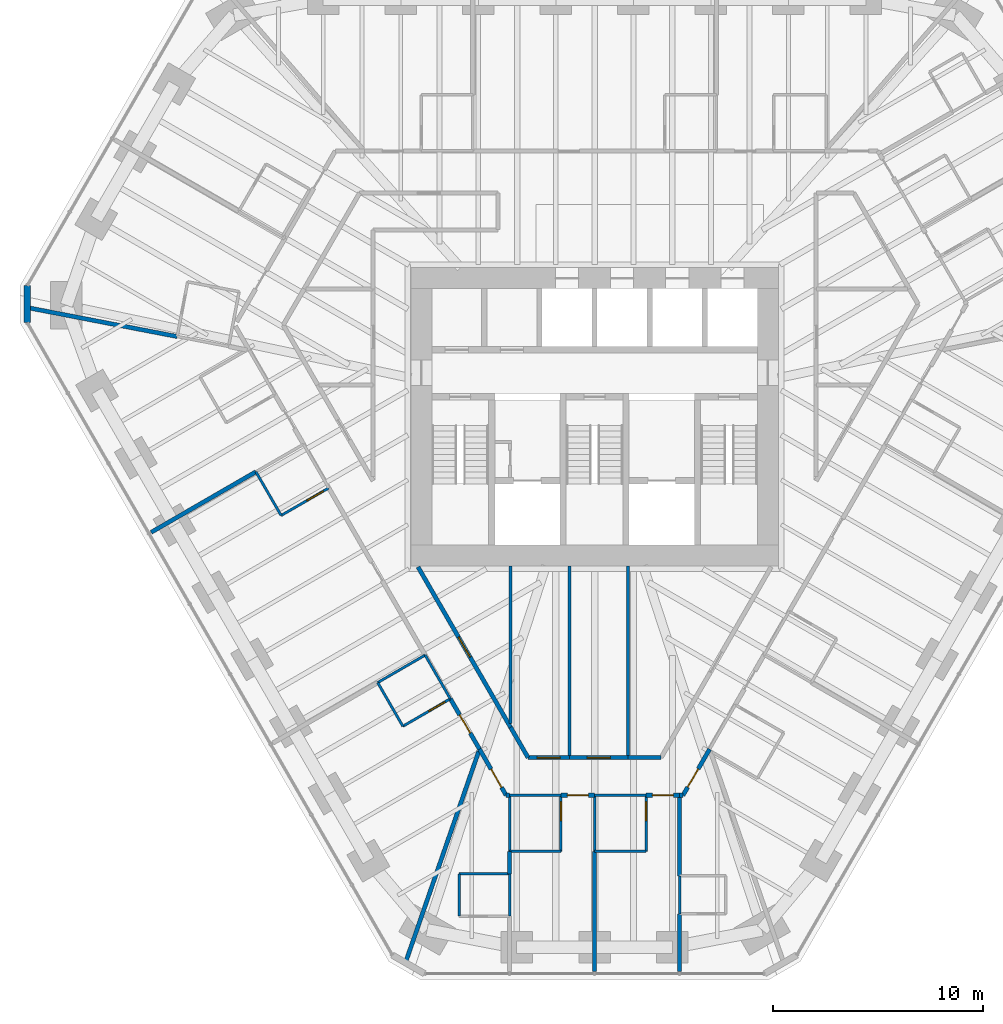
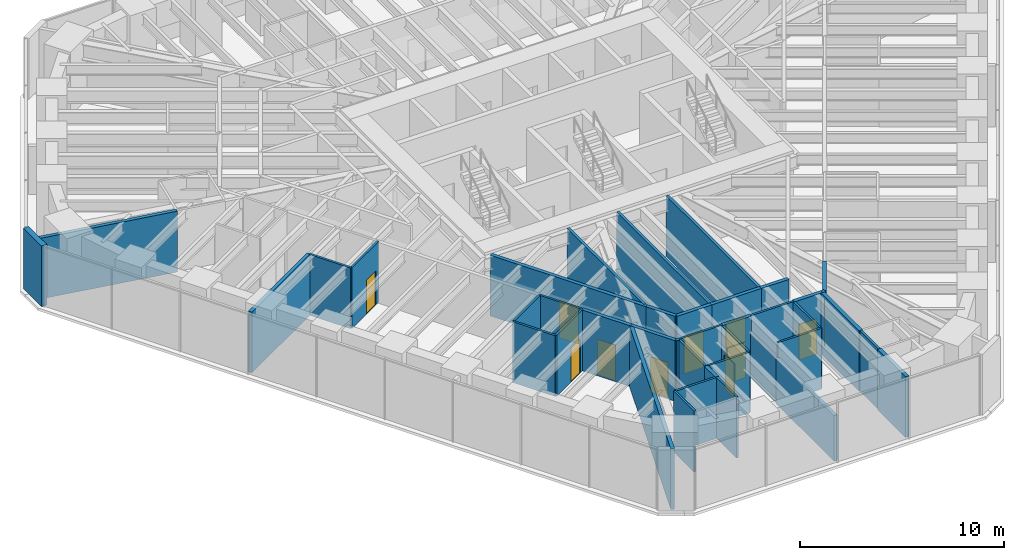
# One storey, part 11 of 17: 41 walls, 12 doors, 12 openings.
"""IFC4 building model written with IfcOpenShell, lengths in metres."""

from ifc_helpers import new_model, si_unit, direction, frame, frame_2d, origin, place, context, subcontext, project, spatial, rectangle, extrude, material, layer, layer_set, type_object, element, fill, save


model = new_model("IFC4")

# Units and contexts
model_context = context("Model", 3, precision=1e-05, world=origin(), true_north=direction((0.0, 1.0)))
body_context = subcontext(model_context, "Body", "Model", "MODEL_VIEW")
ifc_project = project(units=[si_unit("LENGTHUNIT", "METRE"), si_unit("AREAUNIT", "SQUARE_METRE"), si_unit("VOLUMEUNIT", "CUBIC_METRE"), si_unit("PLANEANGLEUNIT", "RADIAN"), si_unit("MASSUNIT", "GRAM", prefix="KILO")], contexts=[model_context])

# Site, building, storey
site_placement = place(None, origin())
site = spatial("IfcSite", under=ifc_project, at=site_placement, CompositionType="ELEMENT")
building_placement = place(site_placement, origin())
building = spatial("IfcBuilding", under=site, at=building_placement, Name="Sandreach Pilgrim Tower", CompositionType="ELEMENT")
storey_placement = place(building_placement, frame((0.0, 0.0, 221.199951171875)))
storey = spatial("IfcBuildingStorey", under=building, at=storey_placement, Name="L55", CompositionType="ELEMENT", Elevation=221.199951171875)

# Walls
ifc_material_1 = material(Name="Gypsum board on steel studs", Category="steel")
ifc_layer_1 = layer(ifc_material_1, 0.14990234375)
ifc_layer_set_1 = layer_set([ifc_layer_1], Name="Back of house wall 150")
wall_type_1 = type_object("IfcWallType", Name="Back of house wall 150", PredefinedType="PARTITIONING", material=ifc_layer_set_1)
wall_1_placement = place(storey_placement, frame((-4.0, -7.10009765625, 0.0), z_axis=(0.0, 0.0, 1.0), x_axis=(0.0, -1.0, 0.0)))
element("IfcWall", 1, at=wall_1_placement, inside=storey, type_object=wall_type_1, Name="Back of house wall L55-066", PredefinedType="PARTITIONING", context=body_context, shape_type="SweptSolid", body=[
    extrude(rectangle(XDim=7.514892578125, YDim=0.14990234375, at=frame_2d((3.75732421875, 0.0))), origin(), (0.0, 0.0, 1.0), 3.64013671875),
])
for number, where, z_axis, x_axis, name in (
    (2, (-1.199951171875, -7.10009765625, 0.0), (0.0, 0.0, 1.0), (0.0, -1.0, 0.0), "Back of house wall L55-071"),
    (3, (1.60009765625, -7.10009765625, 0.0), (0.0, 0.0, 1.0), (0.0, -1.0, 0.0), "Back of house wall L55-077"),
):
    element("IfcWall", number, at=place(storey_placement, frame(where, z_axis=z_axis, x_axis=x_axis)), inside=storey, type_object=wall_type_1, Name=name, PredefinedType="PARTITIONING", context=body_context, shape_type="SweptSolid", body=[
        extrude(rectangle(XDim=9.1298828125, YDim=0.14990234375, at=frame_2d((4.56494140625, 0.0))), origin(), (0.0, 0.0, 1.0), 3.64013671875),
    ])
ifc_material_2 = material(Name="Moisture-resistant gypsum board on steel studs", Category="steel")
ifc_layer_2 = layer(ifc_material_2, 0.1201171875)
ifc_layer_set_2 = layer_set([ifc_layer_2], Name="Bathroom partition 120")
wall_type_2 = type_object("IfcWallType", Name="Bathroom partition 120", PredefinedType="PARTITIONING", material=ifc_layer_set_2)
wall_2_placement = place(storey_placement, frame((-16.1298828125, -2.6201171875, 0.0), z_axis=(0.0, 0.0, 1.0), x_axis=(0.499737123639, -0.866177122335, 0.0)))
element("IfcWall", 4, at=wall_2_placement, inside=storey, type_object=wall_type_2, Name="Bathroom partition L55-015", PredefinedType="PARTITIONING", context=body_context, shape_type="SweptSolid", body=[
    extrude(rectangle(XDim=2.401123046875, YDim=0.1201171875, at=frame_2d((1.20068359375, 0.0))), origin(), (0.0, 0.0, 1.0), 3.64013671875),
])

# Wall, opening, door
wall_3_placement = place(storey_placement, frame((-14.929931640625, -4.699951171875, 0.0), z_axis=(0.0, 0.0, 1.0), x_axis=(0.866114241029, 0.499846097802, 0.0)))
wall_3 = element("IfcWall", 5, at=wall_3_placement, inside=storey, type_object=wall_type_2, Name="Bathroom partition L55-020", PredefinedType="PARTITIONING", context=body_context, shape_type="SweptSolid", body=[
    extrude(rectangle(XDim=2.620849609375, YDim=0.1201171875, at=frame_2d((1.310546875, 0.0))), origin(), (0.0, 0.0, 1.0), 3.64013671875),
])
opening_1_placement = place(wall_3_placement, frame((1.4208984375, 0.0, 0.0)))
opening_1 = element("IfcOpeningElement", 6, at=opening_1_placement, cuts=wall_3, Name="Opening D09-16B", PredefinedType="OPENING", context=body_context, shape_type="SweptSolid", body=[
    extrude(rectangle(XDim=0.89990234375, YDim=2.030029296875, at=frame_2d((0.449951171875, 1.01513671875))), frame((0.0, 0.06005859375, 0.0), z_axis=(0.0, -1.0, 0.0), x_axis=(1.0, 0.0, 0.0)), (0.0, 0.0, 1.0), 0.1201171875),
])
ifc_material_3 = material(Name="Timber door, steel frame", Category="steel")
door_type_1 = type_object("IfcDoorType", Name="Bathroom door", OperationType="SINGLE_SWING_LEFT", PredefinedType="DOOR", material=ifc_material_3)
door_1_placement = place(opening_1_placement, origin())
door_1 = element("IfcDoor", 7, at=door_1_placement, inside=storey, type_object=door_type_1, Name="Door 5516B", OperationType="SINGLE_SWING_RIGHT", OverallHeight=2.030029296875, OverallWidth=0.89990234375, PredefinedType="DOOR", context=body_context, shape_type="SweptSolid", body=[
    extrude(rectangle(XDim=0.89990234375, YDim=2.030029296875, at=frame_2d((0.449951171875, 1.01513671875))), frame((0.0, 0.02490234375, 0.0), z_axis=(0.0, -1.0, 0.0), x_axis=(1.0, 0.0, 0.0)), (0.0, 0.0, 1.0), 0.050048828125),
])
fill(opening_1, door_1)

# Walls
wall_4_placement = place(storey_placement, frame((-10.330078125, -12.659912109375, 0.0), z_axis=(0.0, 0.0, 1.0), x_axis=(0.499693115345, -0.866202511239, 0.0)))
element("IfcWall", 8, at=wall_4_placement, inside=storey, type_object=wall_type_2, Name="Bathroom partition L55-040", PredefinedType="PARTITIONING", context=body_context, shape_type="SweptSolid", body=[
    extrude(rectangle(XDim=2.4013671875, YDim=0.1201171875, at=frame_2d((1.20068359375, 0.0))), origin(), (0.0, 0.0, 1.0), 3.64013671875),
])
wall_5_placement = place(storey_placement, frame((-10.330078125, -12.659912109375, 0.0), z_axis=(0.0, 0.0, 1.0), x_axis=(0.865195830568, 0.501434118073, 0.0)))
element("IfcWall", 9, at=wall_5_placement, inside=storey, type_object=wall_type_2, Name="Bathroom partition L55-041", PredefinedType="PARTITIONING", context=body_context, shape_type="SweptSolid", body=[
    extrude(rectangle(XDim=2.612060546875, YDim=0.1201171875, at=frame_2d((1.30615234375, 0.0))), origin(), (0.0, 0.0, 1.0), 3.64013671875),
])

# Wall, opening, door
wall_6_placement = place(storey_placement, frame((-9.1298828125, -14.739990234375, 0.0), z_axis=(0.0, 0.0, 1.0), x_axis=(0.865131772832, 0.501544629755, 0.0)))
wall_6 = element("IfcWall", 10, at=wall_6_placement, inside=storey, type_object=wall_type_2, Name="Bathroom partition L55-042", PredefinedType="PARTITIONING", context=body_context, shape_type="SweptSolid", body=[
    extrude(rectangle(XDim=2.612060546875, YDim=0.1201171875, at=frame_2d((1.30615234375, 0.0))), origin(), (0.0, 0.0, 1.0), 3.64013671875),
])
opening_2_placement = place(wall_6_placement, frame((1.412109375, 0.0, 0.0)))
opening_2 = element("IfcOpeningElement", 11, at=opening_2_placement, cuts=wall_6, Name="Opening D09-15B", PredefinedType="OPENING", context=body_context, shape_type="SweptSolid", body=[
    extrude(rectangle(XDim=0.89990234375, YDim=2.030029296875, at=frame_2d((0.449951171875, 1.01513671875))), frame((0.0, 0.06005859375, 0.0), z_axis=(0.0, -1.0, 0.0), x_axis=(1.0, 0.0, 0.0)), (0.0, 0.0, 1.0), 0.1201171875),
])
door_2_placement = place(opening_2_placement, origin())
door_2 = element("IfcDoor", 12, at=door_2_placement, inside=storey, type_object=door_type_1, Name="Door 5515B", OperationType="SINGLE_SWING_RIGHT", OverallHeight=2.030029296875, OverallWidth=0.89990234375, PredefinedType="DOOR", context=body_context, shape_type="SweptSolid", body=[
    extrude(rectangle(XDim=0.89990234375, YDim=2.030029296875, at=frame_2d((0.449951171875, 1.01513671875))), frame((0.0, 0.02490234375, 0.0), z_axis=(0.0, -1.0, 0.0), x_axis=(1.0, 0.0, 0.0)), (0.0, 0.0, 1.0), 0.050048828125),
])
fill(opening_2, door_2)

# Walls
wall_7_placement = place(storey_placement, frame((-8.070068359375, -11.35009765625, 0.0), z_axis=(0.0, 0.0, 1.0), x_axis=(0.499737123639, -0.866177122335, 0.0)))
element("IfcWall", 13, at=wall_7_placement, inside=storey, type_object=wall_type_2, Name="Bathroom partition L55-046", PredefinedType="PARTITIONING", context=body_context, shape_type="SweptSolid", body=[
    extrude(rectangle(XDim=2.401123046875, YDim=0.1201171875, at=frame_2d((1.20068359375, 0.0))), origin(), (0.0, 0.0, 1.0), 3.64013671875),
])
for number, where, z_axis, x_axis, name in (
    (14, (-6.449951171875, -21.77001953125, 0.0), (0.0, 0.0, 1.0), (0.0, -1.0, 0.0), "Bathroom partition L55-049"),
    (15, (-4.050048828125, -23.780029296875, 0.0), (0.0, 0.0, 1.0), (0.0, 1.0, 0.0), "Bathroom partition L55-059"),
):
    element("IfcWall", number, at=place(storey_placement, frame(where, z_axis=z_axis, x_axis=x_axis)), inside=storey, type_object=wall_type_2, Name=name, PredefinedType="PARTITIONING", context=body_context, shape_type="SweptSolid", body=[
        extrude(rectangle(XDim=2.010009765625, YDim=0.1201171875, at=frame_2d((1.0048828125, 0.0))), origin(), (0.0, 0.0, 1.0), 3.64013671875),
    ])
wall_8_placement = place(storey_placement, frame((-4.050048828125, -21.77001953125, 0.0), z_axis=(0.0, 0.0, 1.0), x_axis=(-1.0, 0.0, 0.0)))
element("IfcWall", 16, at=wall_8_placement, inside=storey, type_object=wall_type_2, Name="Bathroom partition L55-060", PredefinedType="PARTITIONING", context=body_context, shape_type="SweptSolid", body=[
    extrude(rectangle(XDim=2.39990234375, YDim=0.1201171875, at=frame_2d((1.199951171875, 0.0))), origin(), (0.0, 0.0, 1.0), 3.64013671875),
])
wall_9_placement = place(storey_placement, frame((-4.050048828125, -20.699951171875, 0.0), z_axis=(0.0, 0.0, 1.0), x_axis=(0.0, 1.0, 0.0)))
element("IfcWall", 17, at=wall_9_placement, inside=storey, type_object=wall_type_2, Name="Bathroom partition L55-062", PredefinedType="PARTITIONING", context=body_context, shape_type="SweptSolid", body=[
    extrude(rectangle(XDim=2.669921875, YDim=0.1201171875, at=frame_2d((1.3349609375, 0.0))), origin(), (0.0, 0.0, 1.0), 3.64013671875),
])
for number, where, z_axis, x_axis, name in (
    (18, (-4.050048828125, -20.699951171875, 0.0), (0.0, 0.0, 1.0), (1.0, 0.0, 0.0), "Bathroom partition L55-063"),
    (19, (-4.050048828125, -18.030029296875, 0.0), (0.0, 0.0, 1.0), (1.0, 0.0, 0.0), "Bathroom partition L55-064"),
):
    element("IfcWall", number, at=place(storey_placement, frame(where, z_axis=z_axis, x_axis=x_axis)), inside=storey, type_object=wall_type_2, Name=name, PredefinedType="PARTITIONING", context=body_context, shape_type="SweptSolid", body=[
        extrude(rectangle(XDim=2.449951171875, YDim=0.1201171875, at=frame_2d((1.22509765625, 0.0))), origin(), (0.0, 0.0, 1.0), 3.64013671875),
    ])

# Wall, opening, door
wall_10_placement = place(storey_placement, frame((-1.60009765625, -20.699951171875, 0.0), z_axis=(0.0, 0.0, 1.0), x_axis=(0.0, 1.0, 0.0)))
wall_10 = element("IfcWall", 20, at=wall_10_placement, inside=storey, type_object=wall_type_2, Name="Bathroom partition L55-068", PredefinedType="PARTITIONING", context=body_context, shape_type="SweptSolid", body=[
    extrude(rectangle(XDim=2.669921875, YDim=0.1201171875, at=frame_2d((1.3349609375, 0.0))), origin(), (0.0, 0.0, 1.0), 3.64013671875),
])
opening_3_placement = place(wall_10_placement, frame((1.469970703125, 0.0, 0.0)))
opening_3 = element("IfcOpeningElement", 21, at=opening_3_placement, cuts=wall_10, Name="Opening D09-13B", PredefinedType="OPENING", context=body_context, shape_type="SweptSolid", body=[
    extrude(rectangle(XDim=0.89990234375, YDim=2.030029296875, at=frame_2d((0.449951171875, 1.01513671875))), frame((0.0, 0.06005859375, 0.0), z_axis=(0.0, -1.0, 0.0), x_axis=(1.0, 0.0, 0.0)), (0.0, 0.0, 1.0), 0.1201171875),
])
door_3_placement = place(opening_3_placement, origin())
door_3 = element("IfcDoor", 22, at=door_3_placement, inside=storey, type_object=door_type_1, Name="Door 5513B", OperationType="SINGLE_SWING_RIGHT", OverallHeight=2.030029296875, OverallWidth=0.89990234375, PredefinedType="DOOR", context=body_context, shape_type="SweptSolid", body=[
    extrude(rectangle(XDim=0.89990234375, YDim=2.030029296875, at=frame_2d((0.449951171875, 1.01513671875))), frame((0.0, 0.02490234375, 0.0), z_axis=(0.0, -1.0, 0.0), x_axis=(1.0, 0.0, 0.0)), (0.0, 0.0, 1.0), 0.050048828125),
])
fill(opening_3, door_3)

# Walls
wall_11_placement = place(storey_placement, frame((0.0, -20.699951171875, 0.0), z_axis=(0.0, 0.0, 1.0), x_axis=(0.0, 1.0, 0.0)))
element("IfcWall", 23, at=wall_11_placement, inside=storey, type_object=wall_type_2, Name="Bathroom partition L55-073", PredefinedType="PARTITIONING", context=body_context, shape_type="SweptSolid", body=[
    extrude(rectangle(XDim=2.669921875, YDim=0.1201171875, at=frame_2d((1.3349609375, 0.0))), origin(), (0.0, 0.0, 1.0), 2.7255859375),
])
for number, where, z_axis, x_axis, name in (
    (24, (0.0, -20.699951171875, 0.0), (0.0, 0.0, 1.0), (1.0, 0.0, 0.0), "Bathroom partition L55-074"),
    (25, (0.0, -18.030029296875, 0.0), (0.0, 0.0, 1.0), (1.0, 0.0, 0.0), "Bathroom partition L55-075"),
):
    element("IfcWall", number, at=place(storey_placement, frame(where, z_axis=z_axis, x_axis=x_axis)), inside=storey, type_object=wall_type_2, Name=name, PredefinedType="PARTITIONING", context=body_context, shape_type="SweptSolid", body=[
        extrude(rectangle(XDim=2.449951171875, YDim=0.1201171875, at=frame_2d((1.22509765625, 0.0))), origin(), (0.0, 0.0, 1.0), 3.64013671875),
    ])

# Wall, opening, door
wall_12_placement = place(storey_placement, frame((2.449951171875, -20.699951171875, 0.0), z_axis=(0.0, 0.0, 1.0), x_axis=(0.0, 1.0, 0.0)))
wall_12 = element("IfcWall", 26, at=wall_12_placement, inside=storey, type_object=wall_type_2, Name="Bathroom partition L55-078", PredefinedType="PARTITIONING", context=body_context, shape_type="SweptSolid", body=[
    extrude(rectangle(XDim=2.669921875, YDim=0.1201171875, at=frame_2d((1.3349609375, 0.0))), origin(), (0.0, 0.0, 1.0), 3.64013671875),
])
opening_4_placement = place(wall_12_placement, frame((1.469970703125, 0.0, 0.0)))
opening_4 = element("IfcOpeningElement", 27, at=opening_4_placement, cuts=wall_12, Name="Opening D09-12B", PredefinedType="OPENING", context=body_context, shape_type="SweptSolid", body=[
    extrude(rectangle(XDim=0.89990234375, YDim=2.030029296875, at=frame_2d((0.449951171875, 1.01513671875))), frame((0.0, 0.06005859375, 0.0), z_axis=(0.0, -1.0, 0.0), x_axis=(1.0, 0.0, 0.0)), (0.0, 0.0, 1.0), 0.1201171875),
])
door_4_placement = place(opening_4_placement, origin())
door_4 = element("IfcDoor", 28, at=door_4_placement, inside=storey, type_object=door_type_1, Name="Door 5512B", OperationType="SINGLE_SWING_RIGHT", OverallHeight=2.030029296875, OverallWidth=0.89990234375, PredefinedType="DOOR", context=body_context, shape_type="SweptSolid", body=[
    extrude(rectangle(XDim=0.89990234375, YDim=2.030029296875, at=frame_2d((0.449951171875, 1.01513671875))), frame((0.0, 0.02490234375, 0.0), z_axis=(0.0, -1.0, 0.0), x_axis=(1.0, 0.0, 0.0)), (0.0, 0.0, 1.0), 0.050048828125),
])
fill(opening_4, door_4)

# Wall
wall_13_placement = place(storey_placement, frame((4.050048828125, -23.679931640625, 0.0), z_axis=(0.0, 0.0, 1.0), x_axis=(0.0, 1.0, 0.0)))
element("IfcWall", 29, at=wall_13_placement, inside=storey, type_object=wall_type_2, Name="Bathroom partition L55-084", PredefinedType="PARTITIONING", context=body_context, shape_type="SweptSolid", body=[
    extrude(rectangle(XDim=1.809814453125, YDim=0.1201171875, at=frame_2d((0.90478515625, 0.0))), origin(), (0.0, 0.0, 1.0), 3.64013671875),
])

# Wall, opening, door
ifc_material_4 = material(Name="Gypsum board on steel studs, two layers each side", Category="steel")
ifc_layer_3 = layer(ifc_material_4, 0.199951171875)
ifc_layer_set_3 = layer_set([ifc_layer_3], Name="Corridor wall 200")
wall_type_3 = type_object("IfcWallType", Name="Corridor wall 200", PredefinedType="PARTITIONING", material=ifc_layer_set_3)
wall_14_placement = place(storey_placement, frame((-6.8701171875, -13.429931640625, 0.0), z_axis=(0.0, 0.0, 1.0), x_axis=(0.501192399481, -0.865335876237, 0.0)))
wall_14 = element("IfcWall", 30, at=wall_14_placement, inside=storey, type_object=wall_type_3, Name="Corridor wall L55-047", PredefinedType="PARTITIONING", context=body_context, shape_type="SweptSolid", body=[
    extrude(rectangle(XDim=2.773681640625, YDim=0.199951171875, at=frame_2d((1.38671875, 0.0))), origin(), (0.0, 0.0, 1.0), 3.64013671875),
])
opening_5_placement = place(wall_14_placement, frame((0.88671875, 0.0, 0.0)))
opening_5 = element("IfcOpeningElement", 31, at=opening_5_placement, cuts=wall_14, Name="Opening D10-15", PredefinedType="OPENING", context=body_context, shape_type="SweptSolid", body=[
    extrude(rectangle(XDim=1.0, YDim=2.1298828125, at=frame_2d((0.5, 1.06494140625))), frame((0.0, 0.10009765625, 0.0), z_axis=(0.0, -1.0, 0.0), x_axis=(1.0, 0.0, 0.0)), (0.0, 0.0, 1.0), 0.199951171875),
])
ifc_material_5 = material(Name="Steel door and frame", Category="steel")
door_type_2 = type_object("IfcDoorType", Name="Guest room entry door", OperationType="SINGLE_SWING_LEFT", PredefinedType="DOOR", material=ifc_material_5)
door_5_placement = place(opening_5_placement, origin())
door_5 = element("IfcDoor", 32, at=door_5_placement, inside=storey, type_object=door_type_2, Name="Door 5515", OperationType="SINGLE_SWING_LEFT", OverallHeight=2.1298828125, OverallWidth=1.0, PredefinedType="DOOR", context=body_context, shape_type="SweptSolid", body=[
    extrude(rectangle(XDim=1.0, YDim=2.1298828125, at=frame_2d((0.5, 1.06494140625))), frame((0.0, 0.02490234375, 0.0), z_axis=(0.0, -1.0, 0.0), x_axis=(1.0, 0.0, 0.0)), (0.0, 0.0, 1.0), 0.050048828125),
])
fill(opening_5, door_5)

wall_15_placement = place(storey_placement, frame((-5.47998046875, -15.830078125, 0.0), z_axis=(0.0, 0.0, 1.0), x_axis=(0.499963722229, -0.866046347752, 0.0)))
wall_15 = element("IfcWall", 33, at=wall_15_placement, inside=storey, type_object=wall_type_3, Name="Corridor wall L55-054", PredefinedType="PARTITIONING", context=body_context, shape_type="SweptSolid", body=[
    extrude(rectangle(XDim=2.540283203125, YDim=0.199951171875, at=frame_2d((1.27001953125, 0.0))), origin(), (0.0, 0.0, 1.0), 3.64013671875),
])
opening_6_placement = place(wall_15_placement, frame((1.10009765625, 0.0, 0.0)))
opening_6 = element("IfcOpeningElement", 34, at=opening_6_placement, cuts=wall_15, Name="Opening D10-14", PredefinedType="OPENING", context=body_context, shape_type="SweptSolid", body=[
    extrude(rectangle(XDim=1.0, YDim=2.1298828125, at=frame_2d((0.5, 1.06494140625))), frame((0.0, 0.10009765625, 0.0), z_axis=(0.0, -1.0, 0.0), x_axis=(1.0, 0.0, 0.0)), (0.0, 0.0, 1.0), 0.199951171875),
])
door_6_placement = place(opening_6_placement, origin())
door_6 = element("IfcDoor", 35, at=door_6_placement, inside=storey, type_object=door_type_2, Name="Door 5514", OperationType="SINGLE_SWING_RIGHT", OverallHeight=2.1298828125, OverallWidth=1.0, PredefinedType="DOOR", context=body_context, shape_type="SweptSolid", body=[
    extrude(rectangle(XDim=1.0, YDim=2.1298828125, at=frame_2d((0.5, 1.06494140625))), frame((0.0, 0.02490234375, 0.0), z_axis=(0.0, -1.0, 0.0), x_axis=(1.0, 0.0, 0.0)), (0.0, 0.0, 1.0), 0.050048828125),
])
fill(opening_6, door_6)

# Wall
wall_16_placement = place(storey_placement, frame((-4.2099609375, -18.030029296875, 0.0), z_axis=(0.0, 0.0, 1.0), x_axis=(1.0, 0.0, 0.0)))
element("IfcWall", 36, at=wall_16_placement, inside=storey, type_object=wall_type_3, Name="Corridor wall L55-057", PredefinedType="PARTITIONING", context=body_context, shape_type="SweptSolid", body=[
    extrude(rectangle(XDim=0.159912109375, YDim=0.199951171875, at=frame_2d((0.080078125, 0.0))), origin(), (0.0, 0.0, 1.0), 3.64013671875),
])

# Wall, opening, door
wall_17_placement = place(storey_placement, frame((-4.0, -14.7900390625, 0.0), z_axis=(0.0, 0.0, 1.0), x_axis=(-0.499916512745, 0.866073599808, 0.0)))
wall_17 = element("IfcWall", 37, at=wall_17_placement, inside=storey, type_object=wall_type_3, Name="Corridor wall L55-065", PredefinedType="PARTITIONING", context=body_context, shape_type="SweptSolid", body=[
    extrude(rectangle(XDim=8.8212890625, YDim=0.199951171875, at=frame_2d((4.41064453125, 0.0))), origin(), (0.0, 0.0, 1.0), 3.64013671875),
])
opening_7_placement = place(wall_17_placement, frame((3.860595703125, 0.0, 0.0)))
opening_7 = element("IfcOpeningElement", 38, at=opening_7_placement, cuts=wall_17, Name="Opening D11H-S1", PredefinedType="OPENING", context=body_context, shape_type="SweptSolid", body=[
    extrude(rectangle(XDim=1.10009765625, YDim=2.199951171875, at=frame_2d((0.550048828125, 1.10009765625))), frame((0.0, 0.10009765625, 0.0), z_axis=(0.0, -1.0, 0.0), x_axis=(1.0, 0.0, 0.0)), (0.0, 0.0, 1.0), 0.199951171875),
])
ifc_material_6 = material(Name="Steel door and frame", Category="steel")
door_type_3 = type_object("IfcDoorType", Name="Back of house door", OperationType="SINGLE_SWING_LEFT", PredefinedType="DOOR", material=ifc_material_6)
door_7_placement = place(opening_7_placement, origin())
door_7 = element("IfcDoor", 39, at=door_7_placement, inside=storey, type_object=door_type_3, Name="Door 55S1", OperationType="SINGLE_SWING_LEFT", OverallHeight=2.199951171875, OverallWidth=1.10009765625, PredefinedType="DOOR", context=body_context, shape_type="SweptSolid", body=[
    extrude(rectangle(XDim=1.10009765625, YDim=2.199951171875, at=frame_2d((0.550048828125, 1.10009765625))), frame((0.0, 0.02490234375, 0.0), z_axis=(0.0, -1.0, 0.0), x_axis=(1.0, 0.0, 0.0)), (0.0, 0.0, 1.0), 0.050048828125),
])
fill(opening_7, door_7)

# Wall
wall_18_placement = place(storey_placement, frame((-3.169921875, -16.22998046875, 0.0), z_axis=(0.0, 0.0, 1.0), x_axis=(-0.499425709803, 0.866356716594, 0.0)))
element("IfcWall", 40, at=wall_18_placement, inside=storey, type_object=wall_type_3, Name="Corridor wall L55-067", PredefinedType="PARTITIONING", context=body_context, shape_type="SweptSolid", body=[
    extrude(rectangle(XDim=1.662109375, YDim=0.199951171875, at=frame_2d((0.8310546875, 0.0))), origin(), (0.0, 0.0, 1.0), 3.64013671875),
])

# Wall, opening, door
wall_19_placement = place(storey_placement, frame((-1.60009765625, -18.030029296875, 0.0), z_axis=(0.0, 0.0, 1.0), x_axis=(1.0, 0.0, 0.0)))
wall_19 = element("IfcWall", 41, at=wall_19_placement, inside=storey, type_object=wall_type_3, Name="Corridor wall L55-069", PredefinedType="PARTITIONING", context=body_context, shape_type="SweptSolid", body=[
    extrude(rectangle(XDim=1.60009765625, YDim=0.199951171875, at=frame_2d((0.800048828125, 0.0))), origin(), (0.0, 0.0, 1.0), 3.64013671875),
])
opening_8_placement = place(wall_19_placement, frame((0.300048828125, 0.0, 0.0)))
opening_8 = element("IfcOpeningElement", 42, at=opening_8_placement, cuts=wall_19, Name="Opening D10-13", PredefinedType="OPENING", context=body_context, shape_type="SweptSolid", body=[
    extrude(rectangle(XDim=1.0, YDim=2.1298828125, at=frame_2d((0.5, 1.06494140625))), frame((0.0, 0.10009765625, 0.0), z_axis=(0.0, -1.0, 0.0), x_axis=(1.0, 0.0, 0.0)), (0.0, 0.0, 1.0), 0.199951171875),
])
door_8_placement = place(opening_8_placement, origin())
door_8 = element("IfcDoor", 43, at=door_8_placement, inside=storey, type_object=door_type_2, Name="Door 5513", OperationType="SINGLE_SWING_LEFT", OverallHeight=2.1298828125, OverallWidth=1.0, PredefinedType="DOOR", context=body_context, shape_type="SweptSolid", body=[
    extrude(rectangle(XDim=1.0, YDim=2.1298828125, at=frame_2d((0.5, 1.06494140625))), frame((0.0, 0.02490234375, 0.0), z_axis=(0.0, -1.0, 0.0), x_axis=(1.0, 0.0, 0.0)), (0.0, 0.0, 1.0), 0.050048828125),
])
fill(opening_8, door_8)

wall_20_placement = place(storey_placement, frame((-1.199951171875, -16.22998046875, 0.0), z_axis=(0.0, 0.0, 1.0), x_axis=(-1.0, 0.0, 0.0)))
wall_20 = element("IfcWall", 44, at=wall_20_placement, inside=storey, type_object=wall_type_3, Name="Corridor wall L55-070", PredefinedType="PARTITIONING", context=body_context, shape_type="SweptSolid", body=[
    extrude(rectangle(XDim=1.969970703125, YDim=0.199951171875, at=frame_2d((0.98486328125, 0.0))), origin(), (0.0, 0.0, 1.0), 3.64013671875),
])
opening_9_placement = place(wall_20_placement, frame((0.43505859375, 0.0, 0.0)))
opening_9 = element("IfcOpeningElement", 45, at=opening_9_placement, cuts=wall_20, Name="Opening D11H-S2", PredefinedType="OPENING", context=body_context, shape_type="SweptSolid", body=[
    extrude(rectangle(XDim=1.10009765625, YDim=2.199951171875, at=frame_2d((0.550048828125, 1.10009765625))), frame((0.0, 0.10009765625, 0.0), z_axis=(0.0, -1.0, 0.0), x_axis=(1.0, 0.0, 0.0)), (0.0, 0.0, 1.0), 0.199951171875),
])
door_9_placement = place(opening_9_placement, origin())
door_9 = element("IfcDoor", 46, at=door_9_placement, inside=storey, type_object=door_type_3, Name="Door 55S2", OperationType="SINGLE_SWING_LEFT", OverallHeight=2.199951171875, OverallWidth=1.10009765625, PredefinedType="DOOR", context=body_context, shape_type="SweptSolid", body=[
    extrude(rectangle(XDim=1.10009765625, YDim=2.199951171875, at=frame_2d((0.550048828125, 1.10009765625))), frame((0.0, 0.02490234375, 0.0), z_axis=(0.0, -1.0, 0.0), x_axis=(1.0, 0.0, 0.0)), (0.0, 0.0, 1.0), 0.050048828125),
])
fill(opening_9, door_9)

wall_21_placement = place(storey_placement, frame((1.60009765625, -16.22998046875, 0.0), z_axis=(0.0, 0.0, 1.0), x_axis=(-1.0, 0.0, 0.0)))
wall_21 = element("IfcWall", 47, at=wall_21_placement, inside=storey, type_object=wall_type_3, Name="Corridor wall L55-076", PredefinedType="PARTITIONING", context=body_context, shape_type="SweptSolid", body=[
    extrude(rectangle(XDim=2.800048828125, YDim=0.199951171875, at=frame_2d((1.39990234375, 0.0))), origin(), (0.0, 0.0, 1.0), 3.64013671875),
])
opening_10_placement = place(wall_21_placement, frame((0.85009765625, 0.0, 0.0)))
opening_10 = element("IfcOpeningElement", 48, at=opening_10_placement, cuts=wall_21, Name="Opening D11H-S3", PredefinedType="OPENING", context=body_context, shape_type="SweptSolid", body=[
    extrude(rectangle(XDim=1.10009765625, YDim=2.199951171875, at=frame_2d((0.550048828125, 1.10009765625))), frame((0.0, 0.10009765625, 0.0), z_axis=(0.0, -1.0, 0.0), x_axis=(1.0, 0.0, 0.0)), (0.0, 0.0, 1.0), 0.199951171875),
])
door_10_placement = place(opening_10_placement, origin())
door_10 = element("IfcDoor", 49, at=door_10_placement, inside=storey, type_object=door_type_3, Name="Door 55S3", OperationType="SINGLE_SWING_LEFT", OverallHeight=2.199951171875, OverallWidth=1.10009765625, PredefinedType="DOOR", context=body_context, shape_type="SweptSolid", body=[
    extrude(rectangle(XDim=1.10009765625, YDim=2.199951171875, at=frame_2d((0.550048828125, 1.10009765625))), frame((0.0, 0.02490234375, 0.0), z_axis=(0.0, -1.0, 0.0), x_axis=(1.0, 0.0, 0.0)), (0.0, 0.0, 1.0), 0.050048828125),
])
fill(opening_10, door_10)

wall_22_placement = place(storey_placement, frame((2.449951171875, -18.030029296875, 0.0), z_axis=(0.0, 0.0, 1.0), x_axis=(1.0, 0.0, 0.0)))
wall_22 = element("IfcWall", 50, at=wall_22_placement, inside=storey, type_object=wall_type_3, Name="Corridor wall L55-079", PredefinedType="PARTITIONING", context=body_context, shape_type="SweptSolid", body=[
    extrude(rectangle(XDim=1.60009765625, YDim=0.199951171875, at=frame_2d((0.800048828125, 0.0))), origin(), (0.0, 0.0, 1.0), 3.64013671875),
])
opening_11_placement = place(wall_22_placement, frame((0.300048828125, 0.0, 0.0)))
opening_11 = element("IfcOpeningElement", 51, at=opening_11_placement, cuts=wall_22, Name="Opening D10-12", PredefinedType="OPENING", context=body_context, shape_type="SweptSolid", body=[
    extrude(rectangle(XDim=1.0, YDim=2.1298828125, at=frame_2d((0.5, 1.06494140625))), frame((0.0, 0.10009765625, 0.0), z_axis=(0.0, -1.0, 0.0), x_axis=(1.0, 0.0, 0.0)), (0.0, 0.0, 1.0), 0.199951171875),
])
door_11_placement = place(opening_11_placement, origin())
door_11 = element("IfcDoor", 52, at=door_11_placement, inside=storey, type_object=door_type_2, Name="Door 5512", OperationType="SINGLE_SWING_LEFT", OverallHeight=2.1298828125, OverallWidth=1.0, PredefinedType="DOOR", context=body_context, shape_type="SweptSolid", body=[
    extrude(rectangle(XDim=1.0, YDim=2.1298828125, at=frame_2d((0.5, 1.06494140625))), frame((0.0, 0.02490234375, 0.0), z_axis=(0.0, -1.0, 0.0), x_axis=(1.0, 0.0, 0.0)), (0.0, 0.0, 1.0), 0.050048828125),
])
fill(opening_11, door_11)

# Walls
wall_23_placement = place(storey_placement, frame((3.169921875, -16.22998046875, 0.0), z_axis=(0.0, 0.0, 1.0), x_axis=(-1.0, 0.0, 0.0)))
element("IfcWall", 53, at=wall_23_placement, inside=storey, type_object=wall_type_3, Name="Corridor wall L55-080", PredefinedType="PARTITIONING", context=body_context, shape_type="SweptSolid", body=[
    extrude(rectangle(XDim=1.56982421875, YDim=0.199951171875, at=frame_2d((0.784912109375, 0.0))), origin(), (0.0, 0.0, 1.0), 3.64013671875),
])
wall_24_placement = place(storey_placement, frame((4.050048828125, -18.030029296875, 0.0), z_axis=(0.0, 0.0, 1.0), x_axis=(1.0, 0.0, 0.0)))
element("IfcWall", 54, at=wall_24_placement, inside=storey, type_object=wall_type_3, Name="Corridor wall L55-087", PredefinedType="PARTITIONING", context=body_context, shape_type="SweptSolid", body=[
    extrude(rectangle(XDim=0.159912109375, YDim=0.199951171875, at=frame_2d((0.080078125, 0.0))), origin(), (0.0, 0.0, 1.0), 3.64013671875),
])

# Wall, opening, door
wall_25_placement = place(storey_placement, frame((4.2099609375, -18.030029296875, 0.0), z_axis=(0.0, 0.0, 1.0), x_axis=(0.499963722229, 0.866046347752, 0.0)))
wall_25 = element("IfcWall", 55, at=wall_25_placement, inside=storey, type_object=wall_type_3, Name="Corridor wall L55-088", PredefinedType="PARTITIONING", context=body_context, shape_type="SweptSolid", body=[
    extrude(rectangle(XDim=2.540283203125, YDim=0.199951171875, at=frame_2d((1.27001953125, 0.0))), origin(), (0.0, 0.0, 1.0), 3.64013671875),
])
opening_12_placement = place(wall_25_placement, frame((0.449951171875, 0.0, 0.0)))
opening_12 = element("IfcOpeningElement", 56, at=opening_12_placement, cuts=wall_25, Name="Opening D10-11", PredefinedType="OPENING", context=body_context, shape_type="SweptSolid", body=[
    extrude(rectangle(XDim=1.0, YDim=2.1298828125, at=frame_2d((0.5, 1.06494140625))), frame((0.0, 0.10009765625, 0.0), z_axis=(0.0, -1.0, 0.0), x_axis=(1.0, 0.0, 0.0)), (0.0, 0.0, 1.0), 0.199951171875),
])
door_12_placement = place(opening_12_placement, origin())
door_12 = element("IfcDoor", 57, at=door_12_placement, inside=storey, type_object=door_type_2, Name="Door 5511", OperationType="SINGLE_SWING_LEFT", OverallHeight=2.1298828125, OverallWidth=1.0, PredefinedType="DOOR", context=body_context, shape_type="SweptSolid", body=[
    extrude(rectangle(XDim=1.0, YDim=2.1298828125, at=frame_2d((0.5, 1.06494140625))), frame((0.0, 0.02490234375, 0.0), z_axis=(0.0, -1.0, 0.0), x_axis=(1.0, 0.0, 0.0)), (0.0, 0.0, 1.0), 0.050048828125),
])
fill(opening_12, door_12)

# Walls
ifc_material_7 = material(Name="Double steel stud acoustic wall, gypsum board", Category="steel")
ifc_layer_4 = layer(ifc_material_7, 0.199951171875)
ifc_layer_set_4 = layer_set([ifc_layer_4], Name="Party wall 200")
wall_type_4 = type_object("IfcWallType", Name="Party wall 200", PredefinedType="PARTITIONING", material=ifc_layer_set_4)
wall_26_placement = place(storey_placement, frame((-27.04052734375, 5.204345703125, 0.0), z_axis=(0.0, 0.0, 1.0), x_axis=(0.981883480928, -0.189485698355, 0.0)))
element("IfcWall", 58, at=wall_26_placement, inside=storey, type_object=wall_type_4, Name="Party wall L55-001", PredefinedType="PARTITIONING", context=body_context, shape_type="SweptSolid", body=[
    extrude(rectangle(XDim=7.291259765625, YDim=0.199951171875, at=frame_2d((3.6455078125, 0.0))), origin(), (0.0, 0.0, 1.0), 3.64013671875),
])
wall_27_placement = place(storey_placement, frame((-21.115966796875, -5.5, 0.0), z_axis=(0.0, 0.0, 1.0), x_axis=(0.865919350456, 0.50018364478, 0.0)))
element("IfcWall", 59, at=wall_27_placement, inside=storey, type_object=wall_type_4, Name="Party wall L55-002", PredefinedType="PARTITIONING", context=body_context, shape_type="SweptSolid", body=[
    extrude(rectangle(XDim=5.758056640625, YDim=0.199951171875, at=frame_2d((2.87890625, 0.0))), origin(), (0.0, 0.0, 1.0), 3.64013671875),
])
wall_28_placement = place(storey_placement, frame((-9.01025390625, -26.01171875, 0.0), z_axis=(0.0, 0.0, 1.0), x_axis=(0.327582991606, 0.944822408504, 0.0)))
element("IfcWall", 60, at=wall_28_placement, inside=storey, type_object=wall_type_4, Name="Party wall L55-043", PredefinedType="PARTITIONING", context=body_context, shape_type="SweptSolid", body=[
    extrude(rectangle(XDim=10.66650390625, YDim=0.199951171875, at=frame_2d((5.333251953125, 0.0))), origin(), (0.0, 0.0, 1.0), 3.64013671875),
])
wall_29_placement = place(storey_placement, frame((-4.050048828125, -21.77001953125, 0.0), z_axis=(0.0, 0.0, 1.0), x_axis=(0.0, 1.0, 0.0)))
element("IfcWall", 61, at=wall_29_placement, inside=storey, type_object=wall_type_4, Name="Party wall L55-061", PredefinedType="PARTITIONING", context=body_context, shape_type="SweptSolid", body=[
    extrude(rectangle(XDim=1.070068359375, YDim=0.199951171875, at=frame_2d((0.53515625, 0.0))), origin(), (0.0, 0.0, 1.0), 3.64013671875),
])
wall_30_placement = place(storey_placement, frame((0.0, -26.409912109375, 0.0), z_axis=(0.0, 0.0, 1.0), x_axis=(0.0, 1.0, 0.0)))
element("IfcWall", 62, at=wall_30_placement, inside=storey, type_object=wall_type_4, Name="Party wall L55-072", PredefinedType="PARTITIONING", context=body_context, shape_type="SweptSolid", body=[
    extrude(rectangle(XDim=5.7099609375, YDim=0.199951171875, at=frame_2d((2.85498046875, 0.0))), origin(), (0.0, 0.0, 1.0), 2.7255859375),
])
wall_31_placement = place(storey_placement, frame((4.050048828125, -26.409912109375, 0.0), z_axis=(0.0, 0.0, 1.0), x_axis=(0.0, 1.0, 0.0)))
element("IfcWall", 63, at=wall_31_placement, inside=storey, type_object=wall_type_4, Name="Party wall L55-083", PredefinedType="PARTITIONING", context=body_context, shape_type="SweptSolid", body=[
    extrude(rectangle(XDim=2.72998046875, YDim=0.199951171875, at=frame_2d((1.364990234375, 0.0))), origin(), (0.0, 0.0, 1.0), 3.64013671875),
])
wall_32_placement = place(storey_placement, frame((4.050048828125, -21.8701171875, 0.0), z_axis=(0.0, 0.0, 1.0), x_axis=(0.0, 1.0, 0.0)))
element("IfcWall", 64, at=wall_32_placement, inside=storey, type_object=wall_type_4, Name="Party wall L55-086", PredefinedType="PARTITIONING", context=body_context, shape_type="SweptSolid", body=[
    extrude(rectangle(XDim=3.830078125, YDim=0.199951171875, at=frame_2d((1.9150390625, 0.0))), origin(), (0.0, 0.0, 1.0), 3.64013671875),
])
ifc_material_8 = material(Name="Terracotta rainscreen on concrete", Category="masonry")
ifc_layer_5 = layer(ifc_material_8, 0.300048828125)
ifc_layer_set_5 = layer_set([ifc_layer_5], Name="Terracotta chamfer pier")
wall_type_5 = type_object("IfcWallType", Name="Terracotta chamfer pier", PredefinedType="SOLIDWALL", material=ifc_layer_set_5)
wall_33_placement = place(storey_placement, frame((-27.02001953125, 4.47998046875, 0.0), z_axis=(0.0, 0.0, 1.0), x_axis=(0.0, 1.0, 0.0)))
element("IfcWall", 65, at=wall_33_placement, inside=storey, type_object=wall_type_5, Name="Chamfer pier L55 SW", PredefinedType="SOLIDWALL", context=body_context, shape_type="SweptSolid", body=[
    extrude(rectangle(XDim=1.77001953125, YDim=0.300048828125, at=frame_2d((0.885009765625, 0.0))), origin(), (0.0, 0.0, 1.0), 3.64013671875),
])

save(model, "model.ifc")
